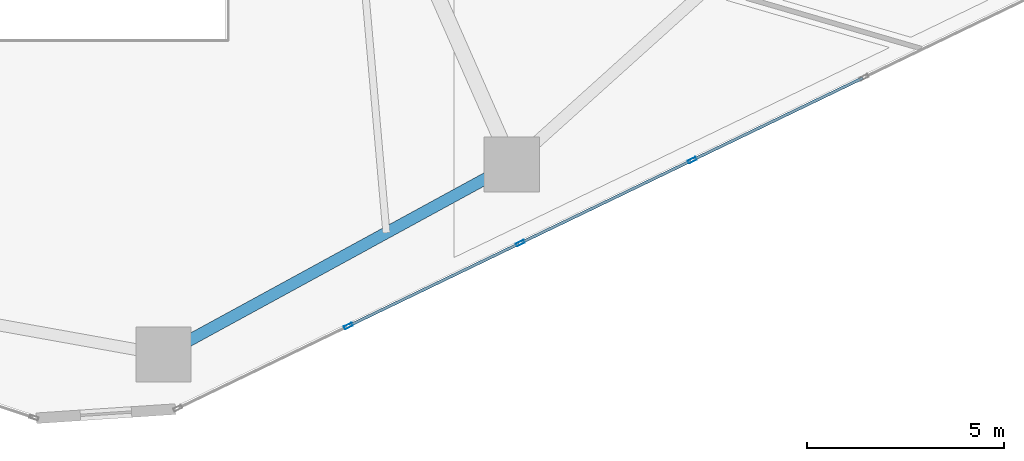
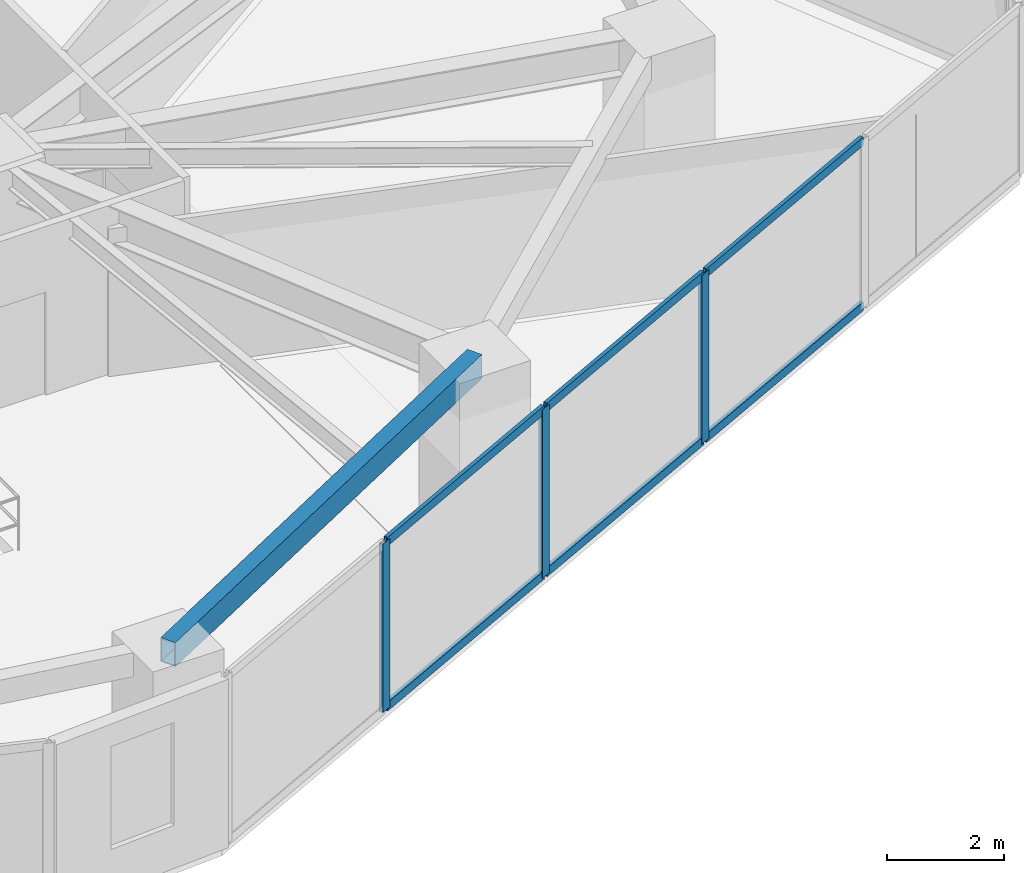
# One storey, part 8 of 23: 9 members, 1 beam, 1 element without a shape of its own.
"""IFC4 building model written with IfcOpenShell, lengths in metres."""

from ifc_helpers import new_model, si_unit, direction, frame, origin, origin_2d, place, context, subcontext, project, spatial, hollow_rectangle, extrude, source, transform, mapped, material, layer, layer_set, material_profile, profile_set, type_object, type_shapes, element, aggregate, save


model = new_model("IFC4")

# Units and contexts
model_context = context("Model", 3, precision=1e-05, world=origin(), true_north=direction((0.0, 1.0)))
body_context = subcontext(model_context, "Body", "Model", "MODEL_VIEW")
ifc_project = project(units=[si_unit("LENGTHUNIT", "METRE"), si_unit("AREAUNIT", "SQUARE_METRE"), si_unit("VOLUMEUNIT", "CUBIC_METRE"), si_unit("PLANEANGLEUNIT", "RADIAN"), si_unit("MASSUNIT", "GRAM", prefix="KILO")], contexts=[model_context])

# Site, building, storey
site_placement = place(None, origin())
site = spatial("IfcSite", under=ifc_project, at=site_placement, CompositionType="ELEMENT")
building_placement = place(site_placement, origin())
building = spatial("IfcBuilding", under=site, at=building_placement, Name="Talar Marvaseh", CompositionType="ELEMENT")
storey_placement = place(building_placement, frame((0.0, 0.0, 35.39990234375)))
storey = spatial("IfcBuildingStorey", under=building, at=storey_placement, Name="L08", CompositionType="ELEMENT", Elevation=35.39990234375)

# Beam
ifc_material_1 = material(Name="Steel S355", Category="steel")
ifc_material_profile_1 = material_profile(ifc_material_1, hollow_rectangle(XDim=0.300048828125, YDim=0.5, WallThickness=0.02001953125, at=origin_2d()), Name="RHS500x300x20")
ifc_profile_set_1 = profile_set([ifc_material_profile_1], Name="Steel S355")
beam_type = type_object("IfcBeamType", Name="Zone 1 Perimeter Spandrel Beam RHS500x300x20", PredefinedType="SPANDREL", material=ifc_profile_set_1)
beam_placement = place(storey_placement, frame((37.468017578125, 16.02099609375, 3.27001953125), z_axis=(-0.877792749602, -0.47904059196, 0.0), x_axis=(0.47904059196, -0.877792749602, 0.0)))
element("IfcBeam", 1, at=beam_placement, inside=storey, type_object=beam_type, Name="L08 Zone 1 Perimeter Spandrel Beam RHS500x300x20", PredefinedType="SPANDREL", context=body_context, shape_type="SweptSolid", body=[
    extrude(hollow_rectangle(XDim=0.300048828125, YDim=0.5, WallThickness=0.02001953125, at=origin_2d()), origin(), (0.0, 0.0, 1.0), 10.07421875),
])

# Curtain wall, members
ifc_material_2 = material(Name="Architectural Aluminium", Category="aluminium")
ifc_layer = layer(ifc_material_2, 0.219970703125)
ifc_layer_set = layer_set([ifc_layer], Name="Architectural Aluminium")
curtain_wall_type = type_object("IfcCurtainWallType", Name="Unitised Low-E Museum Curtain Wall Z1", PredefinedType="NOTDEFINED", material=ifc_layer_set)
curtain_wall_placement = place(storey_placement, origin())
curtain_wall = element("IfcCurtainWall", 2, at=curtain_wall_placement, inside=storey, type_object=curtain_wall_type, Name="L08 Unitised Low-E Museum Curtain Wall Z1", PredefinedType="NOTDEFINED")
ifc_material_profile_2 = material_profile(ifc_material_2, hollow_rectangle(XDim=0.080078125, YDim=0.219970703125, WallThickness=0.0048828125, at=origin_2d()), Name="RHS220x80x5")
ifc_profile_set_2 = profile_set([ifc_material_profile_2], Name="Architectural Aluminium")
member_type_1 = type_object("IfcMemberType", Name="Unitised Curtain Wall Heavy Mullion RHS220x80x5", PredefinedType="MULLION", material=ifc_profile_set_2)
shared_shape_1 = source(origin(), body_context, "Body", "SweptSolid", [
    extrude(hollow_rectangle(XDim=0.080078125, YDim=0.219970703125, WallThickness=0.0048828125, at=origin_2d()), origin(), (0.0, 0.0, 1.0), 3.52001953125),
])
type_shapes(member_type_1, [shared_shape_1])
member_1_placement = place(storey_placement, frame((42.047119140625, 16.126708984375, 0.0), z_axis=(0.0, 0.0, 1.0), x_axis=(0.434307139856, -0.900764846267, 0.0)))
member_1 = element("IfcMember", 3, at=member_1_placement, type_object=member_type_1, Name="CW-Z1 mullion 3", PredefinedType="MULLION", context=body_context, shape_type="MappedRepresentation", body=[
    mapped(shared_shape_1, transform((0.0, 0.0, 0.0), x_axis=(1.0, 0.0, 0.0), y_axis=(0.0, 1.0, 0.0), z_axis=(0.0, 0.0, 1.0), scale=1.0)),
])
member_2_placement = place(storey_placement, frame((37.6826171875, 14.0224609375, 0.0), z_axis=(0.0, 0.0, 1.0), x_axis=(0.434307139856, -0.900764846267, 0.0)))
member_2 = element("IfcMember", 4, at=member_2_placement, type_object=member_type_1, Name="CW-Z1 mullion 4", PredefinedType="MULLION", context=body_context, shape_type="MappedRepresentation", body=[
    mapped(shared_shape_1, transform((0.0, 0.0, 0.0), x_axis=(1.0, 0.0, 0.0), y_axis=(0.0, 1.0, 0.0), z_axis=(0.0, 0.0, 1.0), scale=1.0)),
])
member_3_placement = place(storey_placement, frame((33.318115234375, 11.91796875, 0.0), z_axis=(0.0, 0.0, 1.0), x_axis=(0.434307139856, -0.900764846267, 0.0)))
member_3 = element("IfcMember", 5, at=member_3_placement, type_object=member_type_1, Name="CW-Z1 mullion 5", PredefinedType="MULLION", context=body_context, shape_type="MappedRepresentation", body=[
    mapped(shared_shape_1, transform((0.0, 0.0, 0.0), x_axis=(1.0, 0.0, 0.0), y_axis=(0.0, 1.0, 0.0), z_axis=(0.0, 0.0, 1.0), scale=1.0)),
])
ifc_material_profile_3 = material_profile(ifc_material_2, hollow_rectangle(XDim=0.074951171875, YDim=0.179931640625, WallThickness=0.0048828125, at=origin_2d()), Name="RHS180x75x5")
ifc_profile_set_3 = profile_set([ifc_material_profile_3], Name="Architectural Aluminium")
member_type_2 = type_object("IfcMemberType", Name="Unitised Curtain Wall Transom RHS180x75x5", PredefinedType="USERDEFINED", material=ifc_profile_set_3)
shared_shape_2 = source(origin(), body_context, "Body", "SweptSolid", [
    extrude(hollow_rectangle(XDim=0.074951171875, YDim=0.179931640625, WallThickness=0.0048828125, at=origin_2d()), origin(), (0.0, 0.0, 1.0), 4.76513671875),
])
type_shapes(member_type_2, [shared_shape_2])
member_4_placement = place(storey_placement, frame((46.37548828125, 18.2138671875, 0.03759765625), z_axis=(-0.900739688908, -0.434359313041, 0.0), x_axis=(0.434359313041, -0.900739688908, 0.0)))
member_4 = element("IfcMember", 6, at=member_4_placement, type_object=member_type_2, Name="CW-Z1 transom 2.1", ObjectType="TRANSOM", PredefinedType="USERDEFINED", context=body_context, shape_type="MappedRepresentation", body=[
    mapped(shared_shape_2, transform((0.0, 0.0, 0.0), x_axis=(1.0, 0.0, 0.0), y_axis=(0.0, 1.0, 0.0), z_axis=(0.0, 0.0, 1.0), scale=1.0)),
])
member_5_placement = place(storey_placement, frame((46.37548828125, 18.2138671875, 3.482666015625), z_axis=(-0.900739688908, -0.434359313041, 0.0), x_axis=(0.434359313041, -0.900739688908, 0.0)))
member_5 = element("IfcMember", 7, at=member_5_placement, type_object=member_type_2, Name="CW-Z1 transom 2.2", ObjectType="TRANSOM", PredefinedType="USERDEFINED", context=body_context, shape_type="MappedRepresentation", body=[
    mapped(shared_shape_2, transform((0.0, 0.0, 0.0), x_axis=(1.0, 0.0, 0.0), y_axis=(0.0, 1.0, 0.0), z_axis=(0.0, 0.0, 1.0), scale=1.0)),
])
member_6_placement = place(storey_placement, frame((42.010986328125, 16.109375, 0.03759765625), z_axis=(-0.900759733308, -0.434317744113, 0.0), x_axis=(0.434317744113, -0.900759733308, 0.0)))
member_6 = element("IfcMember", 8, at=member_6_placement, type_object=member_type_2, Name="CW-Z1 transom 3.1", ObjectType="TRANSOM", PredefinedType="USERDEFINED", context=body_context, shape_type="MappedRepresentation", body=[
    mapped(shared_shape_2, transform((0.0, 0.0, 0.0), x_axis=(1.0, 0.0, 0.0), y_axis=(0.0, 1.0, 0.0), z_axis=(0.0, 0.0, 1.0), scale=1.0)),
])
member_7_placement = place(storey_placement, frame((42.010986328125, 16.109375, 3.482666015625), z_axis=(-0.900759733308, -0.434317744113, 0.0), x_axis=(0.434317744113, -0.900759733308, 0.0)))
member_7 = element("IfcMember", 9, at=member_7_placement, type_object=member_type_2, Name="CW-Z1 transom 3.2", ObjectType="TRANSOM", PredefinedType="USERDEFINED", context=body_context, shape_type="MappedRepresentation", body=[
    mapped(shared_shape_2, transform((0.0, 0.0, 0.0), x_axis=(1.0, 0.0, 0.0), y_axis=(0.0, 1.0, 0.0), z_axis=(0.0, 0.0, 1.0), scale=1.0)),
])
member_8_placement = place(storey_placement, frame((37.646484375, 14.005126953125, 0.03759765625), z_axis=(-0.900759733308, -0.434317744113, 0.0), x_axis=(0.434317744113, -0.900759733308, 0.0)))
member_8 = element("IfcMember", 10, at=member_8_placement, type_object=member_type_2, Name="CW-Z1 transom 4.1", ObjectType="TRANSOM", PredefinedType="USERDEFINED", context=body_context, shape_type="MappedRepresentation", body=[
    mapped(shared_shape_2, transform((0.0, 0.0, 0.0), x_axis=(1.0, 0.0, 0.0), y_axis=(0.0, 1.0, 0.0), z_axis=(0.0, 0.0, 1.0), scale=1.0)),
])
member_9_placement = place(storey_placement, frame((37.646484375, 14.005126953125, 3.482666015625), z_axis=(-0.900759733308, -0.434317744113, 0.0), x_axis=(0.434317744113, -0.900759733308, 0.0)))
member_9 = element("IfcMember", 11, at=member_9_placement, type_object=member_type_2, Name="CW-Z1 transom 4.2", ObjectType="TRANSOM", PredefinedType="USERDEFINED", context=body_context, shape_type="MappedRepresentation", body=[
    mapped(shared_shape_2, transform((0.0, 0.0, 0.0), x_axis=(1.0, 0.0, 0.0), y_axis=(0.0, 1.0, 0.0), z_axis=(0.0, 0.0, 1.0), scale=1.0)),
])
aggregate(curtain_wall, [member_1, member_2, member_3, member_4, member_5, member_6, member_7, member_8, member_9])

save(model, "model.ifc")
